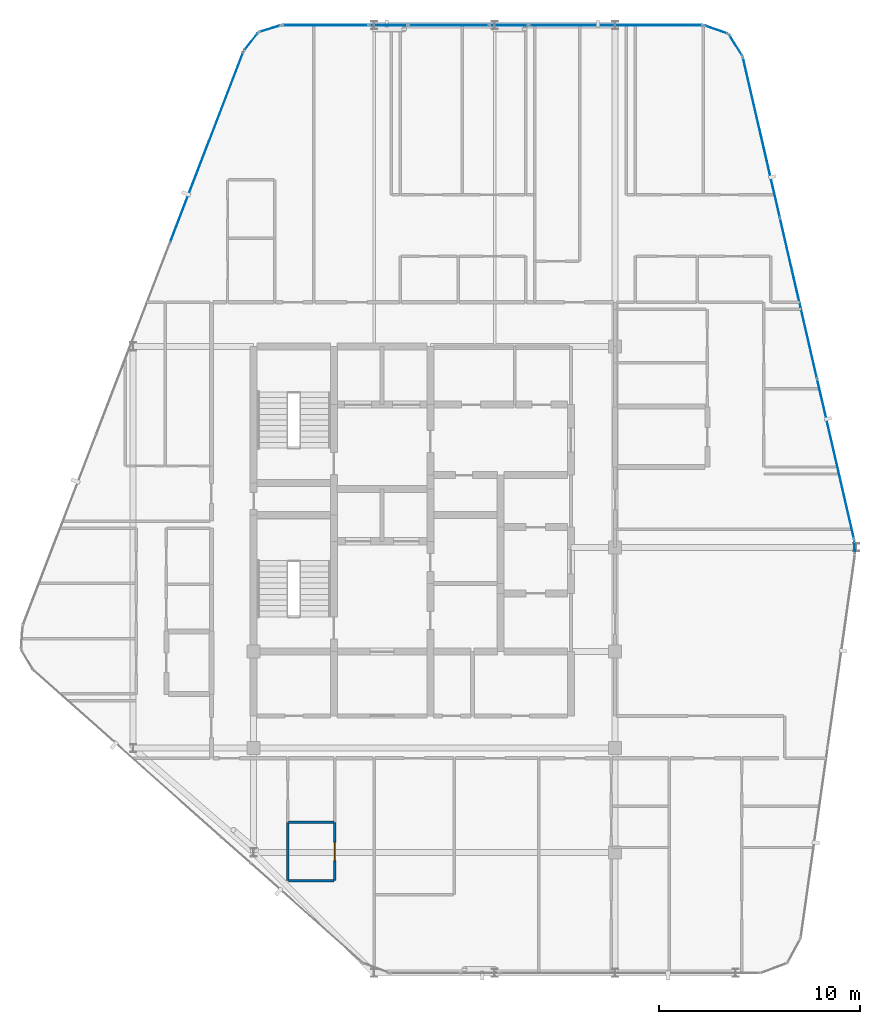
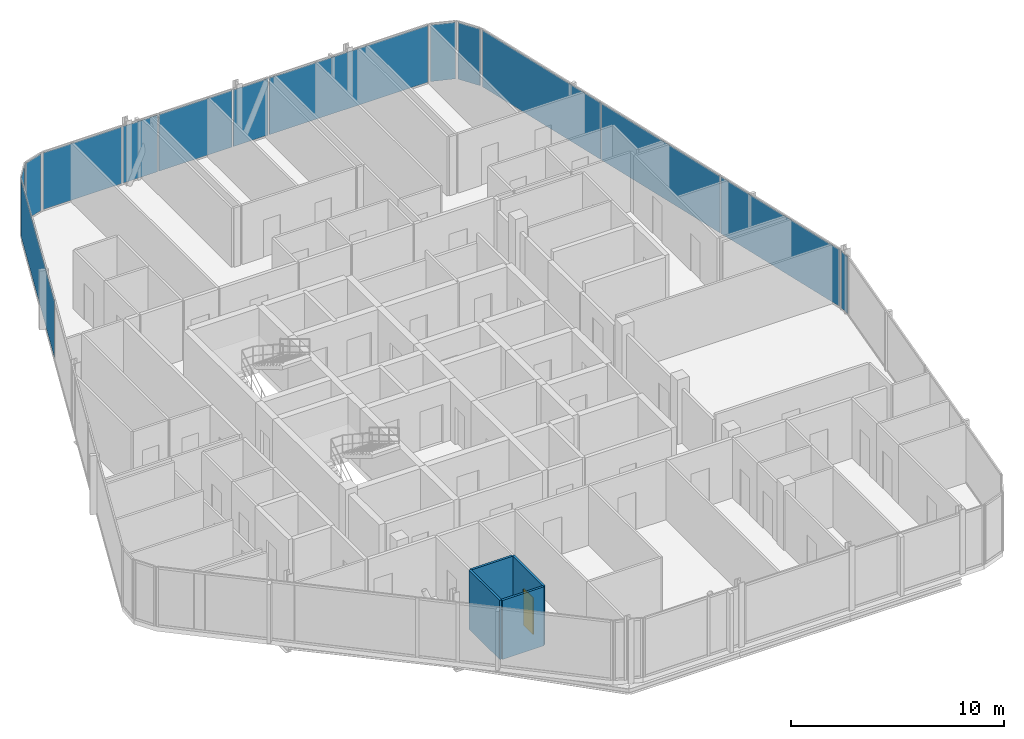
# One storey, part 21 of 28: 14 plates, 4 walls, 1 door, 1 opening, 12 elements without a shape of their own.
"""IFC4 building model written with IfcOpenShell, lengths in metres."""

from ifc_helpers import new_model, si_unit, direction, frame, frame_2d, origin, origin_2d, place, context, subcontext, project, spatial, rectangle, extrude, material, layer, layer_set, type_object, element, fill, aggregate, save


model = new_model("IFC4")

# Units and contexts
model_context = context("Model", 3, precision=1e-05, world=origin(), true_north=direction((0.0, 1.0)))
body_context = subcontext(model_context, "Body", "Model", "MODEL_VIEW")
ifc_project = project(units=[si_unit("LENGTHUNIT", "METRE"), si_unit("AREAUNIT", "SQUARE_METRE"), si_unit("VOLUMEUNIT", "CUBIC_METRE"), si_unit("PLANEANGLEUNIT", "RADIAN"), si_unit("MASSUNIT", "GRAM", prefix="KILO")], contexts=[model_context])

# Site, building, storey
site_placement = place(None, origin())
site = spatial("IfcSite", under=ifc_project, at=site_placement, CompositionType="ELEMENT")
building_placement = place(site_placement, origin())
building = spatial("IfcBuilding", under=site, at=building_placement, Name="Keshet Zoharim Tower", CompositionType="ELEMENT")
storey_placement = place(building_placement, frame((0.0, 0.0, 303.60009765625)))
storey = spatial("IfcBuildingStorey", under=building, at=storey_placement, Name="L76", CompositionType="ELEMENT", Elevation=303.60009765625)

# Curtain wall, plate
ifc_material_1 = material(Name="Aluminium 6063-T6", Category="aluminium")
ifc_layer_1 = layer(ifc_material_1, 0.260009765625)
ifc_layer_set_1 = layer_set([ifc_layer_1], Name="Aluminium 6063-T6")
curtain_wall_type = type_object("IfcCurtainWallType", Name="CW-SYS-06", PredefinedType="NOTDEFINED", material=ifc_layer_set_1)
curtain_wall_1_placement = place(storey_placement, origin())
curtain_wall_1 = element("IfcCurtainWall", 1, at=curtain_wall_1_placement, inside=storey, type_object=curtain_wall_type, Name="L76 Unitised Curtain Wall 03", PredefinedType="NOTDEFINED")
ifc_material_2 = material(Name="Insulated Low-E Clear Glass", Category="glass")
ifc_layer_2 = layer(ifc_material_2, 0.028076171875)
ifc_layer_set_2 = layer_set([ifc_layer_2], Name="Insulated Low-E Clear Glass")
plate_type_1 = type_object("IfcPlateType", Name="CWP-03", PredefinedType="CURTAIN_PANEL", material=ifc_layer_set_2)
plate_1_placement = place(storey_placement, frame((12.665771484375, 47.830810546875, 0.06982421875), z_axis=(0.0, 0.0, 1.0), x_axis=(0.358990003907, 0.933341404361, 0.0)))
plate_1 = element("IfcPlate", 2, at=plate_1_placement, type_object=plate_type_1, Name="CW-06 panel 3.1", PredefinedType="CURTAIN_PANEL", context=body_context, shape_type="SweptSolid", body=[
    extrude(rectangle(XDim=10.1181640625, YDim=0.028076171875, at=origin_2d()), origin(), (0.0, 0.0, 1.0), 3.25),
])
aggregate(curtain_wall_1, [plate_1])

curtain_wall_2_placement = place(storey_placement, origin())
curtain_wall_2 = element("IfcCurtainWall", 3, at=curtain_wall_2_placement, inside=storey, type_object=curtain_wall_type, Name="L76 Unitised Curtain Wall 04", PredefinedType="NOTDEFINED")
plate_2_placement = place(storey_placement, frame((14.8740234375, 53.08349609375, 0.06982421875), z_axis=(0.0, 0.0, 1.0), x_axis=(0.619124525989, 0.785292825205, 0.0)))
plate_2 = element("IfcPlate", 4, at=plate_2_placement, type_object=plate_type_1, Name="CW-06 panel 1.1", PredefinedType="CURTAIN_PANEL", context=body_context, shape_type="SweptSolid", body=[
    extrude(rectangle(XDim=1.045654296875, YDim=0.028076171875, at=origin_2d()), origin(), (0.0, 0.0, 1.0), 3.25),
])
aggregate(curtain_wall_2, [plate_2])

curtain_wall_3_placement = place(storey_placement, origin())
curtain_wall_3 = element("IfcCurtainWall", 5, at=curtain_wall_3_placement, inside=storey, type_object=curtain_wall_type, Name="L76 Unitised Curtain Wall 05", PredefinedType="NOTDEFINED")
plate_3_placement = place(storey_placement, frame((15.8076171875, 53.724609375, 0.06982421875), z_axis=(0.0, 0.0, 1.0), x_axis=(0.955212151288, 0.295921857984, 0.0)))
plate_3 = element("IfcPlate", 6, at=plate_3_placement, type_object=plate_type_1, Name="CW-06 panel 1.1", PredefinedType="CURTAIN_PANEL", context=body_context, shape_type="SweptSolid", body=[
    extrude(rectangle(XDim=1.046142578125, YDim=0.028076171875, at=origin_2d()), origin(), (0.0, 0.0, 1.0), 3.25),
])
aggregate(curtain_wall_3, [plate_3])

curtain_wall_4_placement = place(storey_placement, origin())
curtain_wall_4 = element("IfcCurtainWall", 7, at=curtain_wall_4_placement, inside=storey, type_object=curtain_wall_type, Name="L76 Unitised Curtain Wall 06", PredefinedType="NOTDEFINED")
plate_4_placement = place(storey_placement, frame((18.57470703125, 53.89990234375, 0.06982421875), z_axis=(0.0, 0.0, 1.0), x_axis=(1.0, 0.0, 0.0)))
plate_4 = element("IfcPlate", 8, at=plate_4_placement, type_object=plate_type_1, Name="CW-06 panel 1.1", PredefinedType="CURTAIN_PANEL", context=body_context, shape_type="SweptSolid", body=[
    extrude(rectangle(XDim=4.26123046875, YDim=0.028076171875, at=origin_2d()), origin(), (0.0, 0.0, 1.0), 3.25),
])
aggregate(curtain_wall_4, [plate_4])

curtain_wall_5_placement = place(storey_placement, origin())
curtain_wall_5 = element("IfcCurtainWall", 9, at=curtain_wall_5_placement, inside=storey, type_object=curtain_wall_type, Name="L76 Unitised Curtain Wall 06 Part 3", PredefinedType="NOTDEFINED")
plate_5_placement = place(storey_placement, frame((24.715087890625, 53.89990234375, 0.06982421875), z_axis=(0.0, 0.0, 1.0), x_axis=(1.0, 0.0, 0.0)))
plate_5 = element("IfcPlate", 10, at=plate_5_placement, type_object=plate_type_1, Name="CW-06 panel 1.1", PredefinedType="CURTAIN_PANEL", context=body_context, shape_type="SweptSolid", body=[
    extrude(rectangle(XDim=3.98046875, YDim=0.028076171875, at=origin_2d()), origin(), (0.0, 0.0, 1.0), 3.25),
])
aggregate(curtain_wall_5, [plate_5])

curtain_wall_6_placement = place(storey_placement, origin())
curtain_wall_6 = element("IfcCurtainWall", 11, at=curtain_wall_6_placement, inside=storey, type_object=curtain_wall_type, Name="L76 Unitised Curtain Wall 06 Part 5", PredefinedType="NOTDEFINED")
plate_6_placement = place(storey_placement, frame((33.031982421875, 53.89990234375, 0.06982421875), z_axis=(0.0, 0.0, 1.0), x_axis=(1.0, 0.0, 0.0)))
plate_6 = element("IfcPlate", 12, at=plate_6_placement, type_object=plate_type_1, Name="CW-06 panel 1.1", PredefinedType="CURTAIN_PANEL", context=body_context, shape_type="SweptSolid", body=[
    extrude(rectangle(XDim=8.6142578125, YDim=0.028076171875, at=origin_2d()), origin(), (0.0, 0.0, 1.0), 3.25),
])
aggregate(curtain_wall_6, [plate_6])

curtain_wall_7_placement = place(storey_placement, origin())
curtain_wall_7 = element("IfcCurtainWall", 13, at=curtain_wall_7_placement, inside=storey, type_object=curtain_wall_type, Name="L76 Unitised Curtain Wall 07", PredefinedType="NOTDEFINED")
plate_7_placement = place(storey_placement, frame((38.031494140625, 53.6826171875, 0.06982421875), z_axis=(0.0, 0.0, 1.0), x_axis=(0.944035542119, -0.329843743636, 0.0)))
plate_7 = element("IfcPlate", 14, at=plate_7_placement, type_object=plate_type_1, Name="CW-06 panel 1.1", PredefinedType="CURTAIN_PANEL", context=body_context, shape_type="SweptSolid", body=[
    extrude(rectangle(XDim=1.1787109375, YDim=0.028076171875, at=origin_2d()), origin(), (0.0, 0.0, 1.0), 3.25),
])
aggregate(curtain_wall_7, [plate_7])

curtain_wall_8_placement = place(storey_placement, origin())
curtain_wall_8 = element("IfcCurtainWall", 15, at=curtain_wall_8_placement, inside=storey, type_object=curtain_wall_type, Name="L76 Unitised Curtain Wall 08", PredefinedType="NOTDEFINED")
plate_8_placement = place(storey_placement, frame((39.006103515625, 52.907470703125, 0.06982421875), z_axis=(0.0, 0.0, 1.0), x_axis=(0.533878858502, -0.845560976183, 0.0)))
plate_8 = element("IfcPlate", 16, at=plate_8_placement, type_object=plate_type_1, Name="CW-06 panel 1.1", PredefinedType="CURTAIN_PANEL", context=body_context, shape_type="SweptSolid", body=[
    extrude(rectangle(XDim=1.1787109375, YDim=0.028076171875, at=origin_2d()), origin(), (0.0, 0.0, 1.0), 3.25),
])
aggregate(curtain_wall_8, [plate_8])

# Curtain wall, plates
curtain_wall_9_placement = place(storey_placement, origin())
curtain_wall_9 = element("IfcCurtainWall", 17, at=curtain_wall_9_placement, inside=storey, type_object=curtain_wall_type, Name="L76 Unitised Curtain Wall 09", PredefinedType="NOTDEFINED")
plate_9_placement = place(storey_placement, frame((40.288330078125, 48.318359375, 0.06982421875), z_axis=(0.0, 0.0, 1.0), x_axis=(0.224829963294, -0.974398012932, 0.0)))
plate_9 = element("IfcPlate", 18, at=plate_9_placement, type_object=plate_type_1, Name="CW-06 panel 1.1", PredefinedType="CURTAIN_PANEL", context=body_context, shape_type="SweptSolid", body=[
    extrude(rectangle(XDim=8.13525390625, YDim=0.028076171875, at=origin_2d()), origin(), (0.0, 0.0, 1.0), 3.25),
])
plate_10_placement = place(storey_placement, frame((42.136962890625, 40.305908203125, 0.06982421875), z_axis=(0.0, 0.0, 1.0), x_axis=(0.224829963294, -0.974398012932, 0.0)))
plate_10 = element("IfcPlate", 19, at=plate_10_placement, type_object=plate_type_1, Name="CW-06 panel 2.1", PredefinedType="CURTAIN_PANEL", context=body_context, shape_type="SweptSolid", body=[
    extrude(rectangle(XDim=8.17041015625, YDim=0.028076171875, at=origin_2d()), origin(), (0.0, 0.0, 1.0), 3.25),
])
plate_11_placement = place(storey_placement, frame((43.98583984375, 32.293701171875, 0.06982421875), z_axis=(0.0, 0.0, 1.0), x_axis=(0.224829963294, -0.974398012932, 0.0)))
plate_11 = element("IfcPlate", 20, at=plate_11_placement, type_object=plate_type_1, Name="CW-06 panel 3.1", PredefinedType="CURTAIN_PANEL", context=body_context, shape_type="SweptSolid", body=[
    extrude(rectangle(XDim=8.13525390625, YDim=0.028076171875, at=origin_2d()), origin(), (0.0, 0.0, 1.0), 3.25),
])
aggregate(curtain_wall_9, [plate_9, plate_10, plate_11])

# Curtain wall, plate
curtain_wall_10_placement = place(storey_placement, origin())
curtain_wall_10 = element("IfcCurtainWall", 21, at=curtain_wall_10_placement, inside=storey, type_object=curtain_wall_type, Name="L76 Unitised Curtain Wall 10", PredefinedType="NOTDEFINED")
plate_12_placement = place(storey_placement, frame((44.931884765625, 27.89697265625, 0.06982421875), z_axis=(0.0, 0.0, 1.0), x_axis=(0.043793560626, -0.999040601801, 0.0)))
plate_12 = element("IfcPlate", 22, at=plate_12_placement, type_object=plate_type_1, Name="CW-06 panel 1.1", PredefinedType="CURTAIN_PANEL", context=body_context, shape_type="SweptSolid", body=[
    extrude(rectangle(XDim=0.5908203125, YDim=0.028076171875, at=origin_2d()), origin(), (0.0, 0.0, 1.0), 3.25),
])
aggregate(curtain_wall_10, [plate_12])

curtain_wall_11_placement = place(storey_placement, origin())
curtain_wall_11 = element("IfcCurtainWall", 23, at=curtain_wall_11_placement, inside=storey, type_object=curtain_wall_type, Name="L76 Unitised Curtain Wall 06 Part 2", PredefinedType="NOTDEFINED")
ifc_material_3 = material(Name="Insulated Aluminium Spandrel Panel", Category="aluminium")
ifc_layer_3 = layer(ifc_material_3, 0.028076171875)
ifc_layer_set_3 = layer_set([ifc_layer_3], Name="Insulated Aluminium Spandrel Panel")
plate_type_2 = type_object("IfcPlateType", Name="CWP-06", PredefinedType="CURTAIN_PANEL", material=ifc_layer_set_3)
plate_13_placement = place(storey_placement, frame((21.715087890625, 53.89990234375, 0.06982421875), z_axis=(0.0, 0.0, 1.0), x_axis=(1.0, 0.0, 0.0)))
plate_13 = element("IfcPlate", 24, at=plate_13_placement, type_object=plate_type_2, Name="CW-06 spandrel panel 1.1", PredefinedType="CURTAIN_PANEL", context=body_context, shape_type="SweptSolid", body=[
    extrude(rectangle(XDim=1.879638671875, YDim=0.028076171875, at=origin_2d()), origin(), (0.0, 0.0, 1.0), 3.25),
])
aggregate(curtain_wall_11, [plate_13])

curtain_wall_12_placement = place(storey_placement, origin())
curtain_wall_12 = element("IfcCurtainWall", 25, at=curtain_wall_12_placement, inside=storey, type_object=curtain_wall_type, Name="L76 Unitised Curtain Wall 06 Part 4", PredefinedType="NOTDEFINED")
plate_14_placement = place(storey_placement, frame((27.715087890625, 53.89990234375, 0.06982421875), z_axis=(0.0, 0.0, 1.0), x_axis=(1.0, 0.0, 0.0)))
plate_14 = element("IfcPlate", 26, at=plate_14_placement, type_object=plate_type_2, Name="CW-06 spandrel panel 1.1", PredefinedType="CURTAIN_PANEL", context=body_context, shape_type="SweptSolid", body=[
    extrude(rectangle(XDim=1.879638671875, YDim=0.028076171875, at=origin_2d()), origin(), (0.0, 0.0, 1.0), 3.25),
])
aggregate(curtain_wall_12, [plate_14])

# Wall
ifc_material_4 = material(Name="Gypsum Plasterboard", Category="gypsum")
ifc_layer_4 = layer(ifc_material_4, 0.1201171875)
ifc_layer_set_4 = layer_set([ifc_layer_4], Name="Gypsum Plasterboard")
wall_type = type_object("IfcWallType", Name="WL-WET-120", PredefinedType="PARTITIONING", material=ifc_layer_set_4)
wall_1_placement = place(storey_placement, frame((16.699951171875, 11.300048828125, 0.0), z_axis=(0.0, 0.0, 1.0), x_axis=(0.0, 1.0, 0.0)))
element("IfcWall", 27, at=wall_1_placement, inside=storey, type_object=wall_type, Name="L76 Interior Wall 021", PredefinedType="PARTITIONING", context=body_context, shape_type="SweptSolid", body=[
    extrude(rectangle(XDim=2.89990234375, YDim=0.1201171875, at=frame_2d((1.449951171875, 0.0))), origin(), (0.0, 0.0, 1.0), 3.389892578125),
])

# Wall, opening, door
wall_2_placement = place(storey_placement, frame((19.050048828125, 11.300048828125, 0.0), z_axis=(0.0, 0.0, 1.0), x_axis=(0.0, 1.0, 0.0)))
wall_2 = element("IfcWall", 28, at=wall_2_placement, inside=storey, type_object=wall_type, Name="L76 Interior Wall 029", PredefinedType="PARTITIONING", context=body_context, shape_type="SweptSolid", body=[
    extrude(rectangle(XDim=2.89990234375, YDim=0.1201171875, at=frame_2d((1.449951171875, 0.0))), origin(), (0.0, 0.0, 1.0), 3.389892578125),
])
opening_placement = place(wall_2_placement, frame((1.0, 0.0, 0.0)))
opening = element("IfcOpeningElement", 29, at=opening_placement, cuts=wall_2, Name="Opening D-WT90", PredefinedType="OPENING", context=body_context, shape_type="SweptSolid", body=[
    extrude(rectangle(XDim=0.89990234375, YDim=2.10009765625, at=frame_2d((0.449951171875, 1.050048828125))), frame((0.0, 0.070068359375, 0.0), z_axis=(0.0, -1.0, 0.0), x_axis=(1.0, 0.0, 0.0)), (0.0, 0.0, 1.0), 0.14013671875),
])
ifc_material_5 = material(Name="Hardwood Timber", Category="wood")
door_type = type_object("IfcDoorType", Name="DR-WET-090", OperationType="NOTDEFINED", PredefinedType="DOOR", material=ifc_material_5)
door_placement = place(opening_placement, origin())
door = element("IfcDoor", 30, at=door_placement, inside=storey, type_object=door_type, Name="Apartment 7601 Bathroom Door", OperationType="SINGLE_SWING_LEFT", OverallHeight=2.10009765625, OverallWidth=0.89990234375, PredefinedType="DOOR", context=body_context, shape_type="SweptSolid", body=[
    extrude(rectangle(XDim=0.89990234375, YDim=2.10009765625, at=frame_2d((0.449951171875, 1.050048828125))), frame((0.0, 0.02490234375, 0.0), z_axis=(0.0, -1.0, 0.0), x_axis=(1.0, 0.0, 0.0)), (0.0, 0.0, 1.0), 0.050048828125),
])
fill(opening, door)

# Walls
for number, where, z_axis, x_axis, name in (
    (31, (16.7451171875, 11.300048828125, 0.0), (0.0, 0.0, 1.0), (1.0, 0.0, 0.0), "L76 Interior Wall 094"),
    (32, (16.7451171875, 14.199951171875, 0.0), (0.0, 0.0, 1.0), (1.0, 0.0, 0.0), "L76 Interior Wall 097"),
):
    element("IfcWall", number, at=place(storey_placement, frame(where, z_axis=z_axis, x_axis=x_axis)), inside=storey, type_object=wall_type, Name=name, PredefinedType="PARTITIONING", context=body_context, shape_type="SweptSolid", body=[
        extrude(rectangle(XDim=2.259765625, YDim=0.1201171875, at=frame_2d((1.1298828125, 0.0))), origin(), (0.0, 0.0, 1.0), 3.389892578125),
    ])

save(model, "model.ifc")
